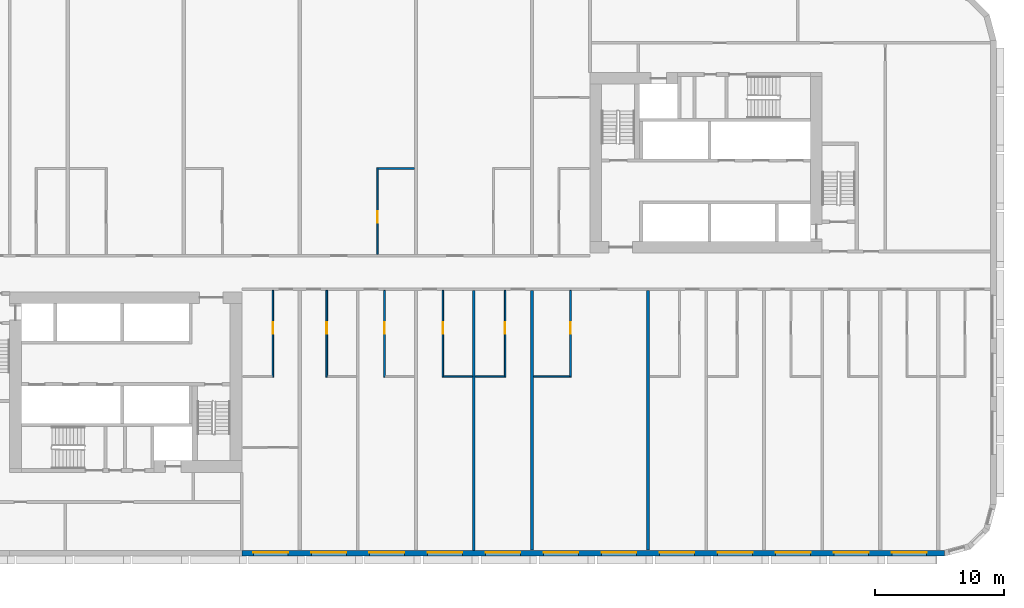
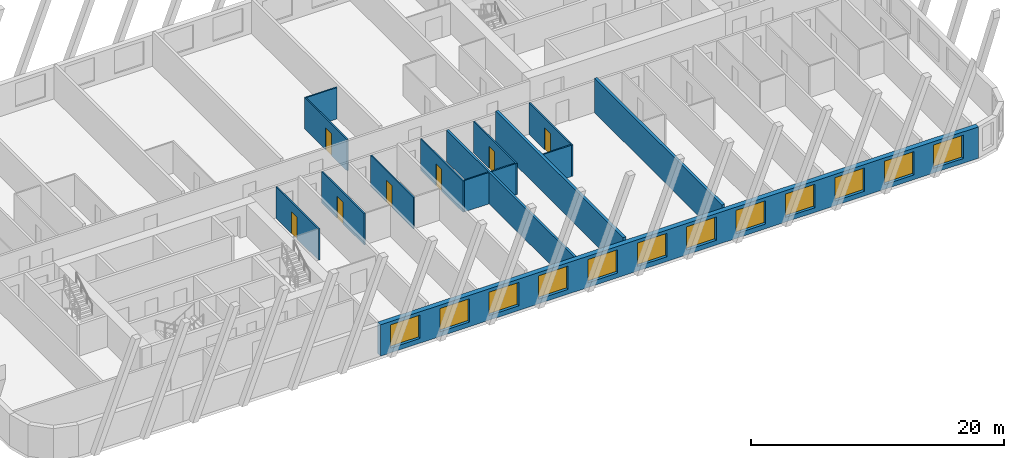
# One storey, part 4 of 13: 15 walls, 12 windows, 7 doors, 19 openings.
"""IFC4 building model written with IfcOpenShell, lengths in metres."""

from ifc_helpers import new_model, si_unit, direction, frame, frame_2d, origin, place, context, subcontext, project, spatial, rectangle, extrude, material, layer, layer_set, type_object, element, fill, save


model = new_model("IFC4")

# Units and contexts
model_context = context("Model", 3, precision=1e-05, world=origin(), true_north=direction((0.0, 1.0)))
body_context = subcontext(model_context, "Body", "Model", "MODEL_VIEW")
ifc_project = project(units=[si_unit("LENGTHUNIT", "METRE"), si_unit("AREAUNIT", "SQUARE_METRE"), si_unit("VOLUMEUNIT", "CUBIC_METRE"), si_unit("PLANEANGLEUNIT", "RADIAN"), si_unit("MASSUNIT", "GRAM", prefix="KILO")], contexts=[model_context])

# Site, building, storey
site_placement = place(None, origin())
site = spatial("IfcSite", under=ifc_project, at=site_placement, CompositionType="ELEMENT")
building_placement = place(site_placement, origin())
building = spatial("IfcBuilding", under=site, at=building_placement, Name="Kajstack Hotel Tower", CompositionType="ELEMENT")
storey_placement = place(building_placement, frame((0.0, 0.0, 89.699951171875)))
storey = spatial("IfcBuildingStorey", under=building, at=storey_placement, Name="L18", CompositionType="ELEMENT", Elevation=89.699951171875)

# Wall
ifc_material_1 = material(Name="Twin-frame gypsum board on steel studs, mineral wool", Category="steel")
ifc_layer_1 = layer(ifc_material_1, 0.199951171875)
ifc_layer_set_1 = layer_set([ifc_layer_1], Name="Demising wall 200")
wall_type_1 = type_object("IfcWallType", Name="Demising wall 200", PredefinedType="PARTITIONING", material=ifc_layer_set_1)
wall_1_placement = place(storey_placement, frame((4.5, -21.550048828125, 0.0), z_axis=(0.0, 0.0, 1.0), x_axis=(0.0, 1.0, 0.0)))
element("IfcWall", 1, at=wall_1_placement, inside=storey, type_object=wall_type_1, Name="G-wall-L18-033", PredefinedType="PARTITIONING", context=body_context, shape_type="SweptSolid", body=[
    extrude(rectangle(XDim=20.150146484375, YDim=0.199951171875, at=frame_2d((10.0751953125, 0.0))), origin(), (0.0, 0.0, 1.0), 3.02001953125),
])

# Wall, openings, windows
ifc_material_2 = material(Name="Terracotta-faced brick masonry", Category="masonry")
ifc_layer_2 = layer(ifc_material_2, 0.449951171875)
ifc_layer_set_2 = layer_set([ifc_layer_2], Name="EW-TERRA")
wall_type_2 = type_object("IfcWallType", Name="EW-TERRA", PredefinedType="SOLIDWALL", material=ifc_layer_set_2)
wall_2_placement = place(storey_placement, frame((-13.5, -21.77490234375, 0.0), z_axis=(0.0, 0.0, 1.0), x_axis=(1.0, 0.0, 0.0)))
wall_2 = element("IfcWall", 2, at=wall_2_placement, inside=storey, type_object=wall_type_2, Name="E-wall-L18-03-02", PredefinedType="SOLIDWALL", context=body_context, shape_type="SweptSolid", body=[
    extrude(rectangle(XDim=54.5, YDim=0.449951171875, at=frame_2d((27.25, 0.0))), origin(), (0.0, 0.0, 1.0), 3.02001953125),
])
opening_1_placement = place(wall_2_placement, frame((0.89990234375, 0.0, 0.449951171875)))
opening_1 = element("IfcOpeningElement", 3, at=opening_1_placement, cuts=wall_2, Name="Opening W1", PredefinedType="OPENING", context=body_context, shape_type="SweptSolid", body=[
    extrude(rectangle(XDim=2.699951171875, YDim=2.25, at=frame_2d((1.35009765625, 1.125))), frame((0.0, 0.23486328125, 0.0), z_axis=(0.0, -1.0, 0.0), x_axis=(1.0, 0.0, 0.0)), (0.0, 0.0, 1.0), 0.469970703125),
])
opening_2_placement = place(wall_2_placement, frame((5.39990234375, 0.0, 0.449951171875)))
opening_2 = element("IfcOpeningElement", 4, at=opening_2_placement, cuts=wall_2, Name="Opening W1", PredefinedType="OPENING", context=body_context, shape_type="SweptSolid", body=[
    extrude(rectangle(XDim=2.699951171875, YDim=2.25, at=frame_2d((1.35009765625, 1.125))), frame((0.0, 0.23486328125, 0.0), z_axis=(0.0, -1.0, 0.0), x_axis=(1.0, 0.0, 0.0)), (0.0, 0.0, 1.0), 0.469970703125),
])
opening_3_placement = place(wall_2_placement, frame((9.89990234375, 0.0, 0.449951171875)))
opening_3 = element("IfcOpeningElement", 5, at=opening_3_placement, cuts=wall_2, Name="Opening W1", PredefinedType="OPENING", context=body_context, shape_type="SweptSolid", body=[
    extrude(rectangle(XDim=2.699951171875, YDim=2.25, at=frame_2d((1.35009765625, 1.125))), frame((0.0, 0.23486328125, 0.0), z_axis=(0.0, -1.0, 0.0), x_axis=(1.0, 0.0, 0.0)), (0.0, 0.0, 1.0), 0.469970703125),
])
opening_4_placement = place(wall_2_placement, frame((14.39990234375, 0.0, 0.449951171875)))
opening_4 = element("IfcOpeningElement", 6, at=opening_4_placement, cuts=wall_2, Name="Opening W1", PredefinedType="OPENING", context=body_context, shape_type="SweptSolid", body=[
    extrude(rectangle(XDim=2.699951171875, YDim=2.25, at=frame_2d((1.35009765625, 1.125))), frame((0.0, 0.23486328125, 0.0), z_axis=(0.0, -1.0, 0.0), x_axis=(1.0, 0.0, 0.0)), (0.0, 0.0, 1.0), 0.469970703125),
])
opening_5_placement = place(wall_2_placement, frame((18.89990234375, 0.0, 0.449951171875)))
opening_5 = element("IfcOpeningElement", 7, at=opening_5_placement, cuts=wall_2, Name="Opening W1", PredefinedType="OPENING", context=body_context, shape_type="SweptSolid", body=[
    extrude(rectangle(XDim=2.699951171875, YDim=2.25, at=frame_2d((1.35009765625, 1.125))), frame((0.0, 0.23486328125, 0.0), z_axis=(0.0, -1.0, 0.0), x_axis=(1.0, 0.0, 0.0)), (0.0, 0.0, 1.0), 0.469970703125),
])
opening_6_placement = place(wall_2_placement, frame((23.39990234375, 0.0, 0.449951171875)))
opening_6 = element("IfcOpeningElement", 8, at=opening_6_placement, cuts=wall_2, Name="Opening W1", PredefinedType="OPENING", context=body_context, shape_type="SweptSolid", body=[
    extrude(rectangle(XDim=2.699951171875, YDim=2.25, at=frame_2d((1.35009765625, 1.125))), frame((0.0, 0.23486328125, 0.0), z_axis=(0.0, -1.0, 0.0), x_axis=(1.0, 0.0, 0.0)), (0.0, 0.0, 1.0), 0.469970703125),
])
opening_7_placement = place(wall_2_placement, frame((27.89990234375, 0.0, 0.449951171875)))
opening_7 = element("IfcOpeningElement", 9, at=opening_7_placement, cuts=wall_2, Name="Opening W1", PredefinedType="OPENING", context=body_context, shape_type="SweptSolid", body=[
    extrude(rectangle(XDim=2.699951171875, YDim=2.25, at=frame_2d((1.35009765625, 1.125))), frame((0.0, 0.23486328125, 0.0), z_axis=(0.0, -1.0, 0.0), x_axis=(1.0, 0.0, 0.0)), (0.0, 0.0, 1.0), 0.469970703125),
])
opening_8_placement = place(wall_2_placement, frame((32.39990234375, 0.0, 0.449951171875)))
opening_8 = element("IfcOpeningElement", 10, at=opening_8_placement, cuts=wall_2, Name="Opening W1", PredefinedType="OPENING", context=body_context, shape_type="SweptSolid", body=[
    extrude(rectangle(XDim=2.699951171875, YDim=2.25, at=frame_2d((1.35009765625, 1.125))), frame((0.0, 0.23486328125, 0.0), z_axis=(0.0, -1.0, 0.0), x_axis=(1.0, 0.0, 0.0)), (0.0, 0.0, 1.0), 0.469970703125),
])
opening_9_placement = place(wall_2_placement, frame((36.89990234375, 0.0, 0.449951171875)))
opening_9 = element("IfcOpeningElement", 11, at=opening_9_placement, cuts=wall_2, Name="Opening W1", PredefinedType="OPENING", context=body_context, shape_type="SweptSolid", body=[
    extrude(rectangle(XDim=2.699951171875, YDim=2.25, at=frame_2d((1.35009765625, 1.125))), frame((0.0, 0.23486328125, 0.0), z_axis=(0.0, -1.0, 0.0), x_axis=(1.0, 0.0, 0.0)), (0.0, 0.0, 1.0), 0.469970703125),
])
opening_10_placement = place(wall_2_placement, frame((41.39990234375, 0.0, 0.449951171875)))
opening_10 = element("IfcOpeningElement", 12, at=opening_10_placement, cuts=wall_2, Name="Opening W1", PredefinedType="OPENING", context=body_context, shape_type="SweptSolid", body=[
    extrude(rectangle(XDim=2.699951171875, YDim=2.25, at=frame_2d((1.35009765625, 1.125))), frame((0.0, 0.23486328125, 0.0), z_axis=(0.0, -1.0, 0.0), x_axis=(1.0, 0.0, 0.0)), (0.0, 0.0, 1.0), 0.469970703125),
])
opening_11_placement = place(wall_2_placement, frame((45.89990234375, 0.0, 0.449951171875)))
opening_11 = element("IfcOpeningElement", 13, at=opening_11_placement, cuts=wall_2, Name="Opening W1", PredefinedType="OPENING", context=body_context, shape_type="SweptSolid", body=[
    extrude(rectangle(XDim=2.699951171875, YDim=2.25, at=frame_2d((1.35009765625, 1.125))), frame((0.0, 0.23486328125, 0.0), z_axis=(0.0, -1.0, 0.0), x_axis=(1.0, 0.0, 0.0)), (0.0, 0.0, 1.0), 0.469970703125),
])
opening_12_placement = place(wall_2_placement, frame((50.39990234375, 0.0, 0.449951171875)))
opening_12 = element("IfcOpeningElement", 14, at=opening_12_placement, cuts=wall_2, Name="Opening W1", PredefinedType="OPENING", context=body_context, shape_type="SweptSolid", body=[
    extrude(rectangle(XDim=2.699951171875, YDim=2.25, at=frame_2d((1.35009765625, 1.125))), frame((0.0, 0.23486328125, 0.0), z_axis=(0.0, -1.0, 0.0), x_axis=(1.0, 0.0, 0.0)), (0.0, 0.0, 1.0), 0.469970703125),
])
ifc_material_3 = material(Name="Timber-aluminium window, triple glazed", Category="wood")
window_type = type_object("IfcWindowType", Name="WG1", PartitioningType="SINGLE_PANEL", PredefinedType="WINDOW", material=ifc_material_3)
window_1_placement = place(opening_1_placement, origin())
window_1 = element("IfcWindow", 15, at=window_1_placement, inside=storey, type_object=window_type, Name="Window W1 L18-03", OverallHeight=2.25, OverallWidth=2.699951171875, PartitioningType="SINGLE_PANEL", PredefinedType="WINDOW", context=body_context, shape_type="SweptSolid", body=[
    extrude(rectangle(XDim=2.699951171875, YDim=2.25, at=frame_2d((1.35009765625, 1.125))), frame((0.0, 0.090087890625, 0.0), z_axis=(0.0, -1.0, 0.0), x_axis=(1.0, 0.0, 0.0)), (0.0, 0.0, 1.0), 0.06005859375),
])
fill(opening_1, window_1)
window_2_placement = place(opening_2_placement, origin())
window_2 = element("IfcWindow", 16, at=window_2_placement, inside=storey, type_object=window_type, Name="Window W1 L18-03", OverallHeight=2.25, OverallWidth=2.699951171875, PartitioningType="SINGLE_PANEL", PredefinedType="WINDOW", context=body_context, shape_type="SweptSolid", body=[
    extrude(rectangle(XDim=2.699951171875, YDim=2.25, at=frame_2d((1.35009765625, 1.125))), frame((0.0, 0.090087890625, 0.0), z_axis=(0.0, -1.0, 0.0), x_axis=(1.0, 0.0, 0.0)), (0.0, 0.0, 1.0), 0.06005859375),
])
fill(opening_2, window_2)
window_3_placement = place(opening_3_placement, origin())
window_3 = element("IfcWindow", 17, at=window_3_placement, inside=storey, type_object=window_type, Name="Window W1 L18-03", OverallHeight=2.25, OverallWidth=2.699951171875, PartitioningType="SINGLE_PANEL", PredefinedType="WINDOW", context=body_context, shape_type="SweptSolid", body=[
    extrude(rectangle(XDim=2.699951171875, YDim=2.25, at=frame_2d((1.35009765625, 1.125))), frame((0.0, 0.090087890625, 0.0), z_axis=(0.0, -1.0, 0.0), x_axis=(1.0, 0.0, 0.0)), (0.0, 0.0, 1.0), 0.06005859375),
])
fill(opening_3, window_3)
window_4_placement = place(opening_4_placement, origin())
window_4 = element("IfcWindow", 18, at=window_4_placement, inside=storey, type_object=window_type, Name="Window W1 L18-03", OverallHeight=2.25, OverallWidth=2.699951171875, PartitioningType="SINGLE_PANEL", PredefinedType="WINDOW", context=body_context, shape_type="SweptSolid", body=[
    extrude(rectangle(XDim=2.699951171875, YDim=2.25, at=frame_2d((1.35009765625, 1.125))), frame((0.0, 0.090087890625, 0.0), z_axis=(0.0, -1.0, 0.0), x_axis=(1.0, 0.0, 0.0)), (0.0, 0.0, 1.0), 0.06005859375),
])
fill(opening_4, window_4)
window_5_placement = place(opening_5_placement, origin())
window_5 = element("IfcWindow", 19, at=window_5_placement, inside=storey, type_object=window_type, Name="Window W1 L18-03", OverallHeight=2.25, OverallWidth=2.699951171875, PartitioningType="SINGLE_PANEL", PredefinedType="WINDOW", context=body_context, shape_type="SweptSolid", body=[
    extrude(rectangle(XDim=2.699951171875, YDim=2.25, at=frame_2d((1.35009765625, 1.125))), frame((0.0, 0.090087890625, 0.0), z_axis=(0.0, -1.0, 0.0), x_axis=(1.0, 0.0, 0.0)), (0.0, 0.0, 1.0), 0.06005859375),
])
fill(opening_5, window_5)
window_6_placement = place(opening_6_placement, origin())
window_6 = element("IfcWindow", 20, at=window_6_placement, inside=storey, type_object=window_type, Name="Window W1 L18-03", OverallHeight=2.25, OverallWidth=2.699951171875, PartitioningType="SINGLE_PANEL", PredefinedType="WINDOW", context=body_context, shape_type="SweptSolid", body=[
    extrude(rectangle(XDim=2.699951171875, YDim=2.25, at=frame_2d((1.35009765625, 1.125))), frame((0.0, 0.090087890625, 0.0), z_axis=(0.0, -1.0, 0.0), x_axis=(1.0, 0.0, 0.0)), (0.0, 0.0, 1.0), 0.06005859375),
])
fill(opening_6, window_6)
window_7_placement = place(opening_7_placement, origin())
window_7 = element("IfcWindow", 21, at=window_7_placement, inside=storey, type_object=window_type, Name="Window W1 L18-03", OverallHeight=2.25, OverallWidth=2.699951171875, PartitioningType="SINGLE_PANEL", PredefinedType="WINDOW", context=body_context, shape_type="SweptSolid", body=[
    extrude(rectangle(XDim=2.699951171875, YDim=2.25, at=frame_2d((1.35009765625, 1.125))), frame((0.0, 0.090087890625, 0.0), z_axis=(0.0, -1.0, 0.0), x_axis=(1.0, 0.0, 0.0)), (0.0, 0.0, 1.0), 0.06005859375),
])
fill(opening_7, window_7)
window_8_placement = place(opening_8_placement, origin())
window_8 = element("IfcWindow", 22, at=window_8_placement, inside=storey, type_object=window_type, Name="Window W1 L18-03", OverallHeight=2.25, OverallWidth=2.699951171875, PartitioningType="SINGLE_PANEL", PredefinedType="WINDOW", context=body_context, shape_type="SweptSolid", body=[
    extrude(rectangle(XDim=2.699951171875, YDim=2.25, at=frame_2d((1.35009765625, 1.125))), frame((0.0, 0.090087890625, 0.0), z_axis=(0.0, -1.0, 0.0), x_axis=(1.0, 0.0, 0.0)), (0.0, 0.0, 1.0), 0.06005859375),
])
fill(opening_8, window_8)
window_9_placement = place(opening_9_placement, origin())
window_9 = element("IfcWindow", 23, at=window_9_placement, inside=storey, type_object=window_type, Name="Window W1 L18-03", OverallHeight=2.25, OverallWidth=2.699951171875, PartitioningType="SINGLE_PANEL", PredefinedType="WINDOW", context=body_context, shape_type="SweptSolid", body=[
    extrude(rectangle(XDim=2.699951171875, YDim=2.25, at=frame_2d((1.35009765625, 1.125))), frame((0.0, 0.090087890625, 0.0), z_axis=(0.0, -1.0, 0.0), x_axis=(1.0, 0.0, 0.0)), (0.0, 0.0, 1.0), 0.06005859375),
])
fill(opening_9, window_9)
window_10_placement = place(opening_10_placement, origin())
window_10 = element("IfcWindow", 24, at=window_10_placement, inside=storey, type_object=window_type, Name="Window W1 L18-03", OverallHeight=2.25, OverallWidth=2.699951171875, PartitioningType="SINGLE_PANEL", PredefinedType="WINDOW", context=body_context, shape_type="SweptSolid", body=[
    extrude(rectangle(XDim=2.699951171875, YDim=2.25, at=frame_2d((1.35009765625, 1.125))), frame((0.0, 0.090087890625, 0.0), z_axis=(0.0, -1.0, 0.0), x_axis=(1.0, 0.0, 0.0)), (0.0, 0.0, 1.0), 0.06005859375),
])
fill(opening_10, window_10)
window_11_placement = place(opening_11_placement, origin())
window_11 = element("IfcWindow", 25, at=window_11_placement, inside=storey, type_object=window_type, Name="Window W1 L18-03", OverallHeight=2.25, OverallWidth=2.699951171875, PartitioningType="SINGLE_PANEL", PredefinedType="WINDOW", context=body_context, shape_type="SweptSolid", body=[
    extrude(rectangle(XDim=2.699951171875, YDim=2.25, at=frame_2d((1.35009765625, 1.125))), frame((0.0, 0.090087890625, 0.0), z_axis=(0.0, -1.0, 0.0), x_axis=(1.0, 0.0, 0.0)), (0.0, 0.0, 1.0), 0.06005859375),
])
fill(opening_11, window_11)
window_12_placement = place(opening_12_placement, origin())
window_12 = element("IfcWindow", 26, at=window_12_placement, inside=storey, type_object=window_type, Name="Window W1 L18-03", OverallHeight=2.25, OverallWidth=2.699951171875, PartitioningType="SINGLE_PANEL", PredefinedType="WINDOW", context=body_context, shape_type="SweptSolid", body=[
    extrude(rectangle(XDim=2.699951171875, YDim=2.25, at=frame_2d((1.35009765625, 1.125))), frame((0.0, 0.090087890625, 0.0), z_axis=(0.0, -1.0, 0.0), x_axis=(1.0, 0.0, 0.0)), (0.0, 0.0, 1.0), 0.06005859375),
])
fill(opening_12, window_12)

# Wall, opening, door
ifc_material_4 = material(Name="Gypsum board and tiled backer on steel studs", Category="steel")
ifc_layer_3 = layer(ifc_material_4, 0.125)
ifc_layer_set_3 = layer_set([ifc_layer_3], Name="En-suite wall 125")
wall_type_3 = type_object("IfcWallType", Name="En-suite wall 125", PredefinedType="PARTITIONING", material=ifc_layer_set_3)
wall_3_placement = place(storey_placement, frame((-2.987060546875, 1.39990234375, 0.0), z_axis=(0.0, 0.0, 1.0), x_axis=(0.0, 1.0, 0.0)))
wall_3 = element("IfcWall", 27, at=wall_3_placement, inside=storey, type_object=wall_type_3, Name="G-wall-L18-017", PredefinedType="PARTITIONING", context=body_context, shape_type="SweptSolid", body=[
    extrude(rectangle(XDim=6.72509765625, YDim=0.125, at=frame_2d((3.362548828125, 0.0))), origin(), (0.0, 0.0, 1.0), 3.02001953125),
])
opening_13_placement = place(wall_3_placement, frame((2.449951171875, 0.0, 0.0)))
opening_13 = element("IfcOpeningElement", 28, at=opening_13_placement, cuts=wall_3, Name="Opening 18014", PredefinedType="OPENING", context=body_context, shape_type="SweptSolid", body=[
    extrude(rectangle(XDim=0.89990234375, YDim=2.10009765625, at=frame_2d((0.449951171875, 1.050048828125))), frame((0.0, 0.072509765625, 0.0), z_axis=(0.0, -1.0, 0.0), x_axis=(1.0, 0.0, 0.0)), (0.0, 0.0, 1.0), 0.14501953125),
])
ifc_material_5 = material(Name="Painted timber door leaf", Category="wood")
door_type = type_object("IfcDoorType", Name="Room door 900", OperationType="SINGLE_SWING_LEFT", PredefinedType="DOOR", material=ifc_material_5)
door_1_placement = place(opening_13_placement, origin())
door_1 = element("IfcDoor", 29, at=door_1_placement, inside=storey, type_object=door_type, Name="G-door-L18-14", OperationType="SINGLE_SWING_RIGHT", OverallHeight=2.10009765625, OverallWidth=0.89990234375, PredefinedType="DOOR", context=body_context, shape_type="SweptSolid", body=[
    extrude(rectangle(XDim=0.89990234375, YDim=2.10009765625, at=frame_2d((0.449951171875, 1.050048828125))), frame((0.0, 0.02490234375, 0.0), z_axis=(0.0, -1.0, 0.0), x_axis=(1.0, 0.0, 0.0)), (0.0, 0.0, 1.0), 0.050048828125),
])
fill(opening_13, door_1)

# Wall
wall_4_placement = place(storey_placement, frame((-2.925048828125, 8.06201171875, 0.0), z_axis=(0.0, 0.0, 1.0), x_axis=(1.0, 0.0, 0.0)))
element("IfcWall", 30, at=wall_4_placement, inside=storey, type_object=wall_type_3, Name="G-wall-L18-018", PredefinedType="PARTITIONING", context=body_context, shape_type="SweptSolid", body=[
    extrude(rectangle(XDim=2.800048828125, YDim=0.125, at=frame_2d((1.39990234375, 0.0))), origin(), (0.0, 0.0, 1.0), 3.02001953125),
])

# Wall, opening, door
wall_5_placement = place(storey_placement, frame((-11.087890625, -8.125, 0.0), z_axis=(0.0, 0.0, 1.0), x_axis=(0.0, 1.0, 0.0)))
wall_5 = element("IfcWall", 31, at=wall_5_placement, inside=storey, type_object=wall_type_3, Name="G-wall-L18-025", PredefinedType="PARTITIONING", context=body_context, shape_type="SweptSolid", body=[
    extrude(rectangle(XDim=6.72509765625, YDim=0.125, at=frame_2d((3.362548828125, 0.0))), origin(), (0.0, 0.0, 1.0), 3.02001953125),
])
opening_14_placement = place(wall_5_placement, frame((3.375, 0.0, 0.0)))
opening_14 = element("IfcOpeningElement", 32, at=opening_14_placement, cuts=wall_5, Name="Opening 18021", PredefinedType="OPENING", context=body_context, shape_type="SweptSolid", body=[
    extrude(rectangle(XDim=0.89990234375, YDim=2.10009765625, at=frame_2d((0.449951171875, 1.050048828125))), frame((0.0, 0.072509765625, 0.0), z_axis=(0.0, -1.0, 0.0), x_axis=(1.0, 0.0, 0.0)), (0.0, 0.0, 1.0), 0.14501953125),
])
door_2_placement = place(opening_14_placement, origin())
door_2 = element("IfcDoor", 33, at=door_2_placement, inside=storey, type_object=door_type, Name="G-door-L18-21", OperationType="SINGLE_SWING_LEFT", OverallHeight=2.10009765625, OverallWidth=0.89990234375, PredefinedType="DOOR", context=body_context, shape_type="SweptSolid", body=[
    extrude(rectangle(XDim=0.89990234375, YDim=2.10009765625, at=frame_2d((0.449951171875, 1.050048828125))), frame((0.0, 0.02490234375, 0.0), z_axis=(0.0, -1.0, 0.0), x_axis=(1.0, 0.0, 0.0)), (0.0, 0.0, 1.0), 0.050048828125),
])
fill(opening_14, door_2)

wall_6_placement = place(storey_placement, frame((-6.912109375, -8.125, 0.0), z_axis=(0.0, 0.0, 1.0), x_axis=(0.0, 1.0, 0.0)))
wall_6 = element("IfcWall", 34, at=wall_6_placement, inside=storey, type_object=wall_type_3, Name="G-wall-L18-029", PredefinedType="PARTITIONING", context=body_context, shape_type="SweptSolid", body=[
    extrude(rectangle(XDim=6.72509765625, YDim=0.125, at=frame_2d((3.362548828125, 0.0))), origin(), (0.0, 0.0, 1.0), 3.02001953125),
])
opening_15_placement = place(wall_6_placement, frame((3.375, 0.0, 0.0)))
opening_15 = element("IfcOpeningElement", 35, at=opening_15_placement, cuts=wall_6, Name="Opening 18024", PredefinedType="OPENING", context=body_context, shape_type="SweptSolid", body=[
    extrude(rectangle(XDim=0.89990234375, YDim=2.10009765625, at=frame_2d((0.449951171875, 1.050048828125))), frame((0.0, 0.072509765625, 0.0), z_axis=(0.0, -1.0, 0.0), x_axis=(1.0, 0.0, 0.0)), (0.0, 0.0, 1.0), 0.14501953125),
])
door_3_placement = place(opening_15_placement, origin())
door_3 = element("IfcDoor", 36, at=door_3_placement, inside=storey, type_object=door_type, Name="G-door-L18-24", OperationType="SINGLE_SWING_LEFT", OverallHeight=2.10009765625, OverallWidth=0.89990234375, PredefinedType="DOOR", context=body_context, shape_type="SweptSolid", body=[
    extrude(rectangle(XDim=0.89990234375, YDim=2.10009765625, at=frame_2d((0.449951171875, 1.050048828125))), frame((0.0, 0.02490234375, 0.0), z_axis=(0.0, -1.0, 0.0), x_axis=(1.0, 0.0, 0.0)), (0.0, 0.0, 1.0), 0.050048828125),
])
fill(opening_15, door_3)

wall_7_placement = place(storey_placement, frame((-2.43798828125, -8.125, 0.0), z_axis=(0.0, 0.0, 1.0), x_axis=(0.0, 1.0, 0.0)))
wall_7 = element("IfcWall", 37, at=wall_7_placement, inside=storey, type_object=wall_type_3, Name="G-wall-L18-031", PredefinedType="PARTITIONING", context=body_context, shape_type="SweptSolid", body=[
    extrude(rectangle(XDim=6.72509765625, YDim=0.125, at=frame_2d((3.362548828125, 0.0))), origin(), (0.0, 0.0, 1.0), 3.02001953125),
])
opening_16_placement = place(wall_7_placement, frame((3.375, 0.0, 0.0)))
opening_16 = element("IfcOpeningElement", 38, at=opening_16_placement, cuts=wall_7, Name="Opening 18026", PredefinedType="OPENING", context=body_context, shape_type="SweptSolid", body=[
    extrude(rectangle(XDim=0.89990234375, YDim=2.10009765625, at=frame_2d((0.449951171875, 1.050048828125))), frame((0.0, 0.072509765625, 0.0), z_axis=(0.0, -1.0, 0.0), x_axis=(1.0, 0.0, 0.0)), (0.0, 0.0, 1.0), 0.14501953125),
])
door_4_placement = place(opening_16_placement, origin())
door_4 = element("IfcDoor", 39, at=door_4_placement, inside=storey, type_object=door_type, Name="G-door-L18-26", OperationType="SINGLE_SWING_LEFT", OverallHeight=2.10009765625, OverallWidth=0.89990234375, PredefinedType="DOOR", context=body_context, shape_type="SweptSolid", body=[
    extrude(rectangle(XDim=0.89990234375, YDim=2.10009765625, at=frame_2d((0.449951171875, 1.050048828125))), frame((0.0, 0.02490234375, 0.0), z_axis=(0.0, -1.0, 0.0), x_axis=(1.0, 0.0, 0.0)), (0.0, 0.0, 1.0), 0.050048828125),
])
fill(opening_16, door_4)

wall_8_placement = place(storey_placement, frame((2.0869140625, -8.125, 0.0), z_axis=(0.0, 0.0, 1.0), x_axis=(0.0, 1.0, 0.0)))
wall_8 = element("IfcWall", 40, at=wall_8_placement, inside=storey, type_object=wall_type_3, Name="G-wall-L18-034", PredefinedType="PARTITIONING", context=body_context, shape_type="SweptSolid", body=[
    extrude(rectangle(XDim=6.72509765625, YDim=0.125, at=frame_2d((3.362548828125, 0.0))), origin(), (0.0, 0.0, 1.0), 3.02001953125),
])
opening_17_placement = place(wall_8_placement, frame((3.375, 0.0, 0.0)))
opening_17 = element("IfcOpeningElement", 41, at=opening_17_placement, cuts=wall_8, Name="Opening 18028", PredefinedType="OPENING", context=body_context, shape_type="SweptSolid", body=[
    extrude(rectangle(XDim=0.89990234375, YDim=2.10009765625, at=frame_2d((0.449951171875, 1.050048828125))), frame((0.0, 0.072509765625, 0.0), z_axis=(0.0, -1.0, 0.0), x_axis=(1.0, 0.0, 0.0)), (0.0, 0.0, 1.0), 0.14501953125),
])
door_5_placement = place(opening_17_placement, origin())
door_5 = element("IfcDoor", 42, at=door_5_placement, inside=storey, type_object=door_type, Name="G-door-L18-28", OperationType="SINGLE_SWING_RIGHT", OverallHeight=2.10009765625, OverallWidth=0.89990234375, PredefinedType="DOOR", context=body_context, shape_type="SweptSolid", body=[
    extrude(rectangle(XDim=0.89990234375, YDim=2.10009765625, at=frame_2d((0.449951171875, 1.050048828125))), frame((0.0, 0.02490234375, 0.0), z_axis=(0.0, -1.0, 0.0), x_axis=(1.0, 0.0, 0.0)), (0.0, 0.0, 1.0), 0.050048828125),
])
fill(opening_17, door_5)

# Wall
wall_9_placement = place(storey_placement, frame((2.14990234375, -8.06201171875, 0.0), z_axis=(0.0, 0.0, 1.0), x_axis=(1.0, 0.0, 0.0)))
element("IfcWall", 43, at=wall_9_placement, inside=storey, type_object=wall_type_3, Name="G-wall-L18-035", PredefinedType="PARTITIONING", context=body_context, shape_type="SweptSolid", body=[
    extrude(rectangle(XDim=2.25, YDim=0.125, at=frame_2d((1.125, 0.0))), origin(), (0.0, 0.0, 1.0), 3.02001953125),
])

# Wall, opening, door
wall_10_placement = place(storey_placement, frame((6.912109375, -8.125, 0.0), z_axis=(0.0, 0.0, 1.0), x_axis=(0.0, 1.0, 0.0)))
wall_10 = element("IfcWall", 44, at=wall_10_placement, inside=storey, type_object=wall_type_3, Name="G-wall-L18-036", PredefinedType="PARTITIONING", context=body_context, shape_type="SweptSolid", body=[
    extrude(rectangle(XDim=6.72509765625, YDim=0.125, at=frame_2d((3.362548828125, 0.0))), origin(), (0.0, 0.0, 1.0), 3.02001953125),
])
opening_18_placement = place(wall_10_placement, frame((3.375, 0.0, 0.0)))
opening_18 = element("IfcOpeningElement", 45, at=opening_18_placement, cuts=wall_10, Name="Opening 18030", PredefinedType="OPENING", context=body_context, shape_type="SweptSolid", body=[
    extrude(rectangle(XDim=0.89990234375, YDim=2.10009765625, at=frame_2d((0.449951171875, 1.050048828125))), frame((0.0, 0.072509765625, 0.0), z_axis=(0.0, -1.0, 0.0), x_axis=(1.0, 0.0, 0.0)), (0.0, 0.0, 1.0), 0.14501953125),
])
door_6_placement = place(opening_18_placement, origin())
door_6 = element("IfcDoor", 46, at=door_6_placement, inside=storey, type_object=door_type, Name="G-door-L18-30", OperationType="SINGLE_SWING_RIGHT", OverallHeight=2.10009765625, OverallWidth=0.89990234375, PredefinedType="DOOR", context=body_context, shape_type="SweptSolid", body=[
    extrude(rectangle(XDim=0.89990234375, YDim=2.10009765625, at=frame_2d((0.449951171875, 1.050048828125))), frame((0.0, 0.02490234375, 0.0), z_axis=(0.0, -1.0, 0.0), x_axis=(1.0, 0.0, 0.0)), (0.0, 0.0, 1.0), 0.050048828125),
])
fill(opening_18, door_6)

# Wall
wall_11_placement = place(storey_placement, frame((4.60009765625, -8.06201171875, 0.0), z_axis=(0.0, 0.0, 1.0), x_axis=(1.0, 0.0, 0.0)))
element("IfcWall", 47, at=wall_11_placement, inside=storey, type_object=wall_type_3, Name="G-wall-L18-037", PredefinedType="PARTITIONING", context=body_context, shape_type="SweptSolid", body=[
    extrude(rectangle(XDim=2.25, YDim=0.125, at=frame_2d((1.125, 0.0))), origin(), (0.0, 0.0, 1.0), 3.02001953125),
])

# Wall, opening, door
wall_12_placement = place(storey_placement, frame((11.988037109375, -8.125, 0.0), z_axis=(0.0, 0.0, 1.0), x_axis=(0.0, 1.0, 0.0)))
wall_12 = element("IfcWall", 48, at=wall_12_placement, inside=storey, type_object=wall_type_3, Name="G-wall-L18-038", PredefinedType="PARTITIONING", context=body_context, shape_type="SweptSolid", body=[
    extrude(rectangle(XDim=6.72509765625, YDim=0.125, at=frame_2d((3.362548828125, 0.0))), origin(), (0.0, 0.0, 1.0), 3.02001953125),
])
opening_19_placement = place(wall_12_placement, frame((3.375, 0.0, 0.0)))
opening_19 = element("IfcOpeningElement", 49, at=opening_19_placement, cuts=wall_12, Name="Opening 18032", PredefinedType="OPENING", context=body_context, shape_type="SweptSolid", body=[
    extrude(rectangle(XDim=0.89990234375, YDim=2.10009765625, at=frame_2d((0.449951171875, 1.050048828125))), frame((0.0, 0.072509765625, 0.0), z_axis=(0.0, -1.0, 0.0), x_axis=(1.0, 0.0, 0.0)), (0.0, 0.0, 1.0), 0.14501953125),
])
door_7_placement = place(opening_19_placement, origin())
door_7 = element("IfcDoor", 50, at=door_7_placement, inside=storey, type_object=door_type, Name="G-door-L18-32", OperationType="SINGLE_SWING_RIGHT", OverallHeight=2.10009765625, OverallWidth=0.89990234375, PredefinedType="DOOR", context=body_context, shape_type="SweptSolid", body=[
    extrude(rectangle(XDim=0.89990234375, YDim=2.10009765625, at=frame_2d((0.449951171875, 1.050048828125))), frame((0.0, 0.02490234375, 0.0), z_axis=(0.0, -1.0, 0.0), x_axis=(1.0, 0.0, 0.0)), (0.0, 0.0, 1.0), 0.050048828125),
])
fill(opening_19, door_7)

# Walls
wall_13_placement = place(storey_placement, frame((9.125, -8.06201171875, 0.0), z_axis=(0.0, 0.0, 1.0), x_axis=(1.0, 0.0, 0.0)))
element("IfcWall", 51, at=wall_13_placement, inside=storey, type_object=wall_type_3, Name="G-wall-L18-039", PredefinedType="PARTITIONING", context=body_context, shape_type="SweptSolid", body=[
    extrude(rectangle(XDim=2.800048828125, YDim=0.125, at=frame_2d((1.39990234375, 0.0))), origin(), (0.0, 0.0, 1.0), 3.02001953125),
])
ifc_material_6 = material(Name="Concrete C60/75", Category="concrete")
ifc_layer_4 = layer(ifc_material_6, 0.25)
ifc_layer_set_4 = layer_set([ifc_layer_4], Name="RC cross wall 250 C60/75")
wall_type_4 = type_object("IfcWallType", Name="RC cross wall 250 C60/75", PredefinedType="SHEAR", material=ifc_layer_set_4)
for number, where, z_axis, x_axis, name in (
    (52, (9.0, -21.5400390625, 0.0), (0.0, 0.0, 1.0), (0.0, 1.0, 0.0), "S-wall-L18-09"),
    (53, (18.0, -21.5400390625, 0.0), (0.0, 0.0, 1.0), (0.0, 1.0, 0.0), "S-wall-L18-11"),
):
    element("IfcWall", number, at=place(storey_placement, frame(where, z_axis=z_axis, x_axis=x_axis)), inside=storey, type_object=wall_type_4, Name=name, PredefinedType="SHEAR", context=body_context, shape_type="SweptSolid", body=[
        extrude(rectangle(XDim=20.14013671875, YDim=0.25, at=frame_2d((10.070068359375, 0.0))), origin(), (0.0, 0.0, 1.0), 3.300048828125),
    ])

save(model, "model.ifc")
